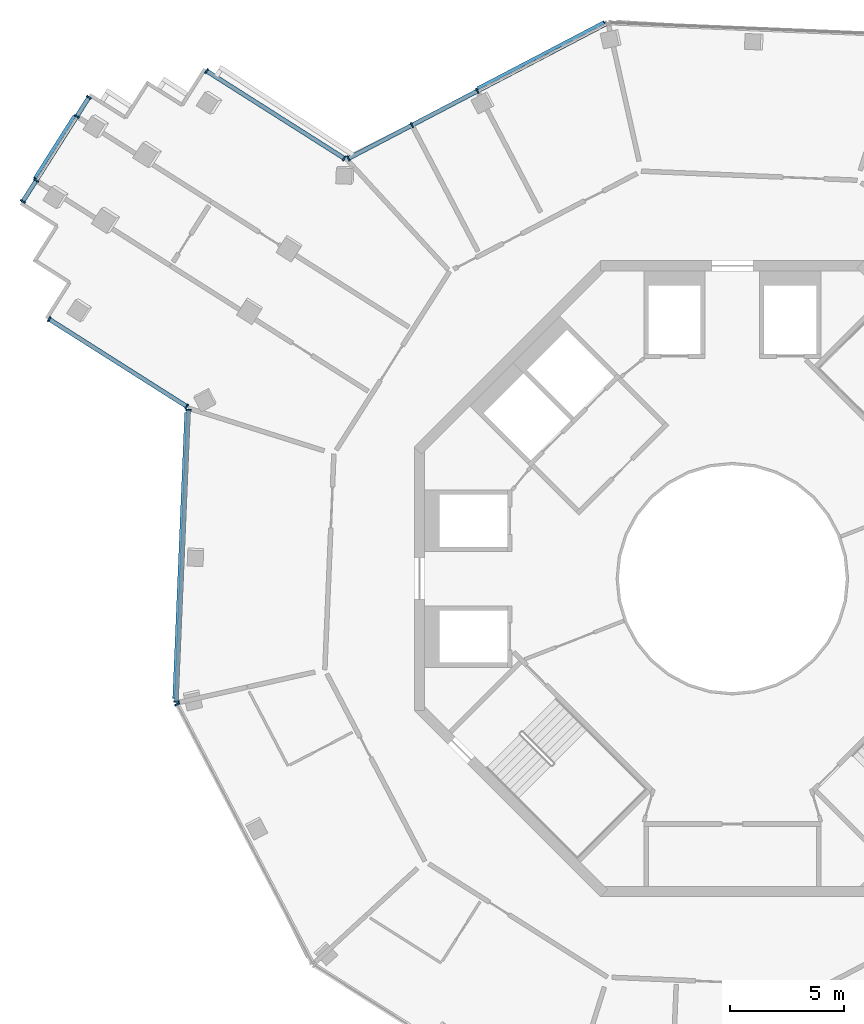
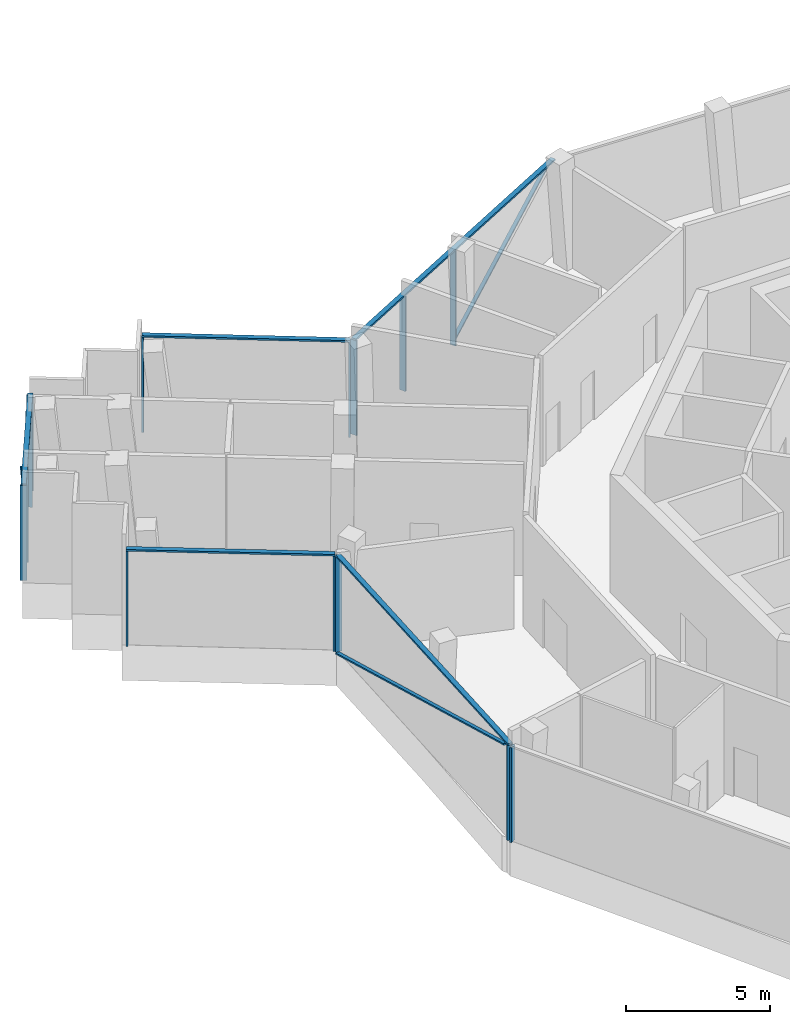
# One storey, part 4 of 21: 22 members, 6 elements without a shape of their own.
"""IFC4 building model written with IfcOpenShell, lengths in metres."""

from ifc_helpers import new_model, si_unit, direction, frame, origin, origin_2d, place, context, subcontext, project, spatial, rectangle, extrude, material, layer, layer_set, material_profile, profile_set, type_object, element, aggregate, save


model = new_model("IFC4")

# Units and contexts
model_context = context("Model", 3, precision=1e-05, world=origin(), true_north=direction((0.0, 1.0)))
body_context = subcontext(model_context, "Body", "Model", "MODEL_VIEW")
ifc_project = project(units=[si_unit("LENGTHUNIT", "METRE"), si_unit("AREAUNIT", "SQUARE_METRE"), si_unit("VOLUMEUNIT", "CUBIC_METRE"), si_unit("PLANEANGLEUNIT", "RADIAN"), si_unit("MASSUNIT", "GRAM", prefix="KILO")], contexts=[model_context])

# Site, building, storey
site_placement = place(None, origin())
site = spatial("IfcSite", under=ifc_project, at=site_placement, CompositionType="ELEMENT")
building_placement = place(site_placement, origin())
building = spatial("IfcBuilding", under=site, at=building_placement, Name="Verdalira Terraces Hotel", CompositionType="ELEMENT")
storey_placement = place(building_placement, frame((0.0, 0.0, 269.0)))
storey = spatial("IfcBuildingStorey", under=building, at=storey_placement, Name="L66", CompositionType="ELEMENT", Elevation=269.0)

# Curtain wall, members
ifc_material_1 = material(Name="Clear glass", Category="glass")
ifc_layer = layer(ifc_material_1, 0.239990234375)
ifc_layer_set = layer_set([ifc_layer], Name="CW5 curtain wall")
curtain_wall_type = type_object("IfcCurtainWallType", Name="CW5 curtain wall", PredefinedType="NOTDEFINED", material=ifc_layer_set)
curtain_wall_1_placement = place(storey_placement, origin())
curtain_wall_1 = element("IfcCurtainWall", 1, at=curtain_wall_1_placement, inside=storey, type_object=curtain_wall_type, Name="CW5 curtain wall L66 edge 0", PredefinedType="NOTDEFINED")
ifc_material_2 = material(Name="Terracotta frame", Category="masonry")
ifc_material_profile_1 = material_profile(ifc_material_2, rectangle(XDim=0.070068, YDim=0.23999, at=origin_2d()), Name="MU 70x240")
ifc_profile_set_1 = profile_set([ifc_material_profile_1], Name="Terracotta frame")
member_type_1 = type_object("IfcMemberType", Name="CW5 mullion 70x240", PredefinedType="MULLION", material=ifc_profile_set_1)
member_1_placement = place(storey_placement, frame((-17.088623, 18.507568, 0.0), z_axis=(0.0, 0.0, 1.0), x_axis=(-0.844327926, 0.535826795, 0.0)))
member_1 = element("IfcMember", 2, at=member_1_placement, type_object=member_type_1, Name="CW5 mullion", PredefinedType="MULLION", context=body_context, shape_type="SweptSolid", body=[
    extrude(rectangle(XDim=0.070068, YDim=0.23999, at=origin_2d()), origin(), (0.0, 0.0, 1.0), 4.014893),
])
member_2_placement = place(storey_placement, frame((-23.146729, 22.352295, 0.0), z_axis=(0.0, 0.0, 1.0), x_axis=(-0.844327926, 0.535826795, 0.0)))
member_2 = element("IfcMember", 3, at=member_2_placement, type_object=member_type_1, Name="CW5 mullion", PredefinedType="MULLION", context=body_context, shape_type="SweptSolid", body=[
    extrude(rectangle(XDim=0.070068, YDim=0.23999, at=origin_2d()), origin(), (0.0, 0.0, 1.0), 4.014893),
])

curtain_wall_2_placement = place(storey_placement, origin())
curtain_wall_2 = element("IfcCurtainWall", 4, at=curtain_wall_2_placement, inside=storey, type_object=curtain_wall_type, Name="CW5 curtain wall L66 edge 5", PredefinedType="NOTDEFINED")
member_3_placement = place(storey_placement, frame((-28.329102, 21.193848, 0.0), z_axis=(0.0, 0.0, 1.0), x_axis=(-0.535826795, -0.844327926, 0.0)))
member_3 = element("IfcMember", 5, at=member_3_placement, type_object=member_type_1, Name="CW5 mullion", PredefinedType="MULLION", context=body_context, shape_type="SweptSolid", body=[
    extrude(rectangle(XDim=0.070068, YDim=0.23999, at=origin_2d()), origin(), (0.0, 0.0, 1.0), 4.014893),
])
member_4_placement = place(storey_placement, frame((-28.862549, 20.353516, 0.0), z_axis=(0.0, 0.0, 1.0), x_axis=(-0.535826795, -0.844327926, 0.0)))
member_4 = element("IfcMember", 6, at=member_4_placement, type_object=member_type_1, Name="CW5 mullion", PredefinedType="MULLION", context=body_context, shape_type="SweptSolid", body=[
    extrude(rectangle(XDim=0.070068, YDim=0.23999, at=origin_2d()), origin(), (0.0, 0.0, 1.0), 4.014893),
])
member_5_placement = place(storey_placement, frame((-30.652832, 17.532471, 0.0), z_axis=(0.0, 0.0, 1.0), x_axis=(-0.535826795, -0.844327926, 0.0)))
member_5 = element("IfcMember", 7, at=member_5_placement, type_object=member_type_1, Name="CW5 mullion", PredefinedType="MULLION", context=body_context, shape_type="SweptSolid", body=[
    extrude(rectangle(XDim=0.070068, YDim=0.23999, at=origin_2d()), origin(), (0.0, 0.0, 1.0), 4.014893),
])
member_6_placement = place(storey_placement, frame((-31.23877, 16.609131, 0.0), z_axis=(0.0, 0.0, 1.0), x_axis=(-0.535826795, -0.844327926, 0.0)))
member_6 = element("IfcMember", 8, at=member_6_placement, type_object=member_type_1, Name="CW5 mullion", PredefinedType="MULLION", context=body_context, shape_type="SweptSolid", body=[
    extrude(rectangle(XDim=0.070068, YDim=0.23999, at=origin_2d()), origin(), (0.0, 0.0, 1.0), 4.014893),
])

curtain_wall_3_placement = place(storey_placement, origin())
curtain_wall_3 = element("IfcCurtainWall", 9, at=curtain_wall_3_placement, inside=storey, type_object=curtain_wall_type, Name="CW5 curtain wall L66 edge 10", PredefinedType="NOTDEFINED")
member_7_placement = place(storey_placement, frame((-30.080322, 11.426758, 0.0), z_axis=(0.0, 0.0, 1.0), x_axis=(0.844327926, -0.535826795, 0.0)))
member_7 = element("IfcMember", 10, at=member_7_placement, type_object=member_type_1, Name="CW5 mullion", PredefinedType="MULLION", context=body_context, shape_type="SweptSolid", body=[
    extrude(rectangle(XDim=0.070068, YDim=0.23999, at=origin_2d()), origin(), (0.0, 0.0, 1.0), 4.014893),
])
member_8_placement = place(storey_placement, frame((-24.022217, 7.582031, 0.0), z_axis=(0.0, 0.0, 1.0), x_axis=(0.844327926, -0.535826795, 0.0)))
member_8 = element("IfcMember", 11, at=member_8_placement, type_object=member_type_1, Name="CW5 mullion", PredefinedType="MULLION", context=body_context, shape_type="SweptSolid", body=[
    extrude(rectangle(XDim=0.070068, YDim=0.23999, at=origin_2d()), origin(), (0.0, 0.0, 1.0), 4.014893),
])

curtain_wall_4_placement = place(storey_placement, origin())
curtain_wall_4 = element("IfcCurtainWall", 12, at=curtain_wall_4_placement, inside=storey, type_object=curtain_wall_type, Name="CW5 curtain wall L66 edge 11", PredefinedType="NOTDEFINED")
member_9_placement = place(storey_placement, frame((-23.938477, 7.421875, 0.0), z_axis=(0.0, 0.0, 1.0), x_axis=(-0.041875654, -0.99912283, 0.0)))
member_9 = element("IfcMember", 13, at=member_9_placement, type_object=member_type_1, Name="CW5 mullion", PredefinedType="MULLION", context=body_context, shape_type="SweptSolid", body=[
    extrude(rectangle(XDim=0.070068, YDim=0.23999, at=origin_2d()), origin(), (0.0, 0.0, 1.0), 4.014893),
])
member_10_placement = place(storey_placement, frame((-24.476074, -5.404541, 0.0), z_axis=(0.0, 0.0, 1.0), x_axis=(-0.041875654, -0.99912283, 0.0)))
member_10 = element("IfcMember", 14, at=member_10_placement, type_object=member_type_1, Name="CW5 mullion", PredefinedType="MULLION", context=body_context, shape_type="SweptSolid", body=[
    extrude(rectangle(XDim=0.070068, YDim=0.23999, at=origin_2d()), origin(), (0.0, 0.0, 1.0), 4.014893),
])

# Curtain wall, member
curtain_wall_5_placement = place(storey_placement, origin())
curtain_wall_5 = element("IfcCurtainWall", 15, at=curtain_wall_5_placement, inside=storey, type_object=curtain_wall_type, Name="CW5 curtain wall L66 edge 12", PredefinedType="NOTDEFINED")
member_11_placement = place(storey_placement, frame((-24.447754, -5.53125, 0.0), z_axis=(0.0, 0.0, 1.0), x_axis=(0.463296035, -0.886203579, 0.0)))
member_11 = element("IfcMember", 16, at=member_11_placement, type_object=member_type_1, Name="CW5 mullion", PredefinedType="MULLION", context=body_context, shape_type="SweptSolid", body=[
    extrude(rectangle(XDim=0.070068, YDim=0.23999, at=origin_2d()), origin(), (0.0, 0.0, 1.0), 4.014893),
])
aggregate(curtain_wall_5, [member_11])

# Curtain wall, members
curtain_wall_6_placement = place(storey_placement, origin())
curtain_wall_6 = element("IfcCurtainWall", 17, at=curtain_wall_6_placement, inside=storey, type_object=curtain_wall_type, Name="CW5 curtain wall L66 edge 41", PredefinedType="NOTDEFINED")
member_12_placement = place(storey_placement, frame((-11.224854, 21.471191, 0.0), z_axis=(0.0, 0.0, 1.0), x_axis=(-0.886203579, -0.463296035, 0.0)))
member_12 = element("IfcMember", 18, at=member_12_placement, type_object=member_type_1, Name="CW5 mullion", PredefinedType="MULLION", context=body_context, shape_type="SweptSolid", body=[
    extrude(rectangle(XDim=0.070068, YDim=0.23999, at=origin_2d()), origin(), (0.0, 0.0, 1.0), 4.014893),
])
member_13_placement = place(storey_placement, frame((-14.10498, 19.965576, 0.0), z_axis=(0.0, 0.0, 1.0), x_axis=(-0.886203579, -0.463296035, 0.0)))
member_13 = element("IfcMember", 19, at=member_13_placement, type_object=member_type_1, Name="CW5 mullion", PredefinedType="MULLION", context=body_context, shape_type="SweptSolid", body=[
    extrude(rectangle(XDim=0.070068, YDim=0.23999, at=origin_2d()), origin(), (0.0, 0.0, 1.0), 4.014893),
])
member_14_placement = place(storey_placement, frame((-16.908203, 18.5, 0.0), z_axis=(0.0, 0.0, 1.0), x_axis=(-0.886203579, -0.463296035, 0.0)))
member_14 = element("IfcMember", 20, at=member_14_placement, type_object=member_type_1, Name="CW5 mullion", PredefinedType="MULLION", context=body_context, shape_type="SweptSolid", body=[
    extrude(rectangle(XDim=0.070068, YDim=0.23999, at=origin_2d()), origin(), (0.0, 0.0, 1.0), 4.014893),
])

# Member
ifc_material_3 = material(Name="Terracotta frame", Category="masonry")
ifc_material_profile_2 = material_profile(ifc_material_3, rectangle(XDim=0.189941, YDim=0.074951, at=origin_2d()), Name="TR 75x190")
ifc_profile_set_2 = profile_set([ifc_material_profile_2], Name="Terracotta frame")
member_type_2 = type_object("IfcMemberType", Name="CW5 transom 75x190", PredefinedType="USERDEFINED", material=ifc_profile_set_2)
member_15_placement = place(storey_placement, frame((-17.059082, 18.489014, 4.05249), z_axis=(-0.844328247, 0.535826288, 0.0), x_axis=(-0.535826288, -0.844328247, 0.0)))
member_15 = element("IfcMember", 21, at=member_15_placement, type_object=member_type_2, Name="CW5 transom", ObjectType="TRANSOM", PredefinedType="USERDEFINED", context=body_context, shape_type="SweptSolid", body=[
    extrude(rectangle(XDim=0.189941, YDim=0.074951, at=origin_2d()), origin(), (0.0, 0.0, 1.0), 7.245117),
])

aggregate(curtain_wall_1, [member_1, member_2, member_15])

member_16_placement = place(storey_placement, frame((-28.310547, 21.223389, 4.05249), z_axis=(-0.535823831, -0.844329806, 0.0), x_axis=(0.844329806, -0.535823831, 0.0)))
member_16 = element("IfcMember", 22, at=member_16_placement, type_object=member_type_2, Name="CW5 transom", ObjectType="TRANSOM", PredefinedType="USERDEFINED", context=body_context, shape_type="SweptSolid", body=[
    extrude(rectangle(XDim=0.189941, YDim=0.074951, at=origin_2d()), origin(), (0.0, 0.0, 1.0), 5.5),
])

member_17_placement = place(storey_placement, frame((-30.109863, 11.445312, 4.05249), z_axis=(0.844328247, -0.535826288, 0.0), x_axis=(0.535826288, 0.844328247, 0.0)))
member_17 = element("IfcMember", 23, at=member_17_placement, type_object=member_type_2, Name="CW5 transom", ObjectType="TRANSOM", PredefinedType="USERDEFINED", context=body_context, shape_type="SweptSolid", body=[
    extrude(rectangle(XDim=0.189941, YDim=0.074951, at=origin_2d()), origin(), (0.0, 0.0, 1.0), 7.245117),
])

aggregate(curtain_wall_3, [member_7, member_8, member_17])

member_18_placement = place(storey_placement, frame((-23.937012, 7.457031, 4.05249), z_axis=(-0.041876002, -0.999122816, 0.0), x_axis=(0.999122816, -0.041876002, 0.0)))
member_18 = element("IfcMember", 24, at=member_18_placement, type_object=member_type_2, Name="CW5 transom", ObjectType="TRANSOM", PredefinedType="USERDEFINED", context=body_context, shape_type="SweptSolid", body=[
    extrude(rectangle(XDim=0.189941, YDim=0.074951, at=origin_2d()), origin(), (0.0, 0.0, 1.0), 12.907715),
])

member_19_placement = place(storey_placement, frame((-5.500244, 24.464111, 4.05249), z_axis=(-0.886201088, -0.4633008, 0.0), x_axis=(0.4633008, -0.886201088, 0.0)))
member_19 = element("IfcMember", 25, at=member_19_placement, type_object=member_type_2, Name="CW5 transom", ObjectType="TRANSOM", PredefinedType="USERDEFINED", context=body_context, shape_type="SweptSolid", body=[
    extrude(rectangle(XDim=0.189941, YDim=0.074951, at=origin_2d()), origin(), (0.0, 0.0, 1.0), 12.907959),
])

ifc_material_4 = material(Name="Terracotta frame", Category="masonry")
ifc_material_profile_3 = material_profile(ifc_material_4, rectangle(XDim=0.149902, YDim=0.060059, at=origin_2d()), Name="GB 60x150")
ifc_profile_set_3 = profile_set([ifc_material_profile_3], Name="Terracotta frame")
member_type_3 = type_object("IfcMemberType", Name="Diagonal glazing bar 60x150", PredefinedType="USERDEFINED", material=ifc_profile_set_3)
member_20_placement = place(storey_placement, frame((-28.976318, 20.355225, 0.030029), z_axis=(-0.338459521, -0.533293898, 0.775269483), x_axis=(0.844312939, -0.535850409, 0.0)))
member_20 = element("IfcMember", 26, at=member_20_placement, type_object=member_type_3, Name="Diagonal glazing bar", ObjectType="GLAZING BAR", PredefinedType="USERDEFINED", context=body_context, shape_type="SweptSolid", body=[
    extrude(rectangle(XDim=0.149902, YDim=0.060059, at=origin_2d()), origin(), (0.0, 0.0, 1.0), 5.101318),
])

aggregate(curtain_wall_2, [member_3, member_4, member_5, member_6, member_16, member_20])

member_21_placement = place(storey_placement, frame((-24.040771, 7.29834, 0.029297), z_axis=(-0.03994506, -0.953109854, 0.299976662), x_axis=(0.999122921, -0.041873478, 0.0)))
member_21 = element("IfcMember", 27, at=member_21_placement, type_object=member_type_3, Name="Diagonal glazing bar", ObjectType="GLAZING BAR", PredefinedType="USERDEFINED", context=body_context, shape_type="SweptSolid", body=[
    extrude(rectangle(XDim=0.149902, YDim=0.060059, at=origin_2d()), origin(), (0.0, 0.0, 1.0), 13.189453),
])

aggregate(curtain_wall_4, [member_9, member_10, member_18, member_21])

member_22_placement = place(storey_placement, frame((-5.644287, 24.498291, 3.988525), z_axis=(-0.749184926, -0.391690454, -0.534135315), x_axis=(0.463320225, -0.886190933, 0.0)))
member_22 = element("IfcMember", 28, at=member_22_placement, type_object=member_type_3, Name="Diagonal glazing bar", ObjectType="GLAZING BAR", PredefinedType="USERDEFINED", context=body_context, shape_type="SweptSolid", body=[
    extrude(rectangle(XDim=0.149902, YDim=0.060059, at=origin_2d()), origin(), (0.0, 0.0, 1.0), 7.417969),
])

aggregate(curtain_wall_6, [member_12, member_13, member_14, member_19, member_22])

save(model, "model.ifc")
